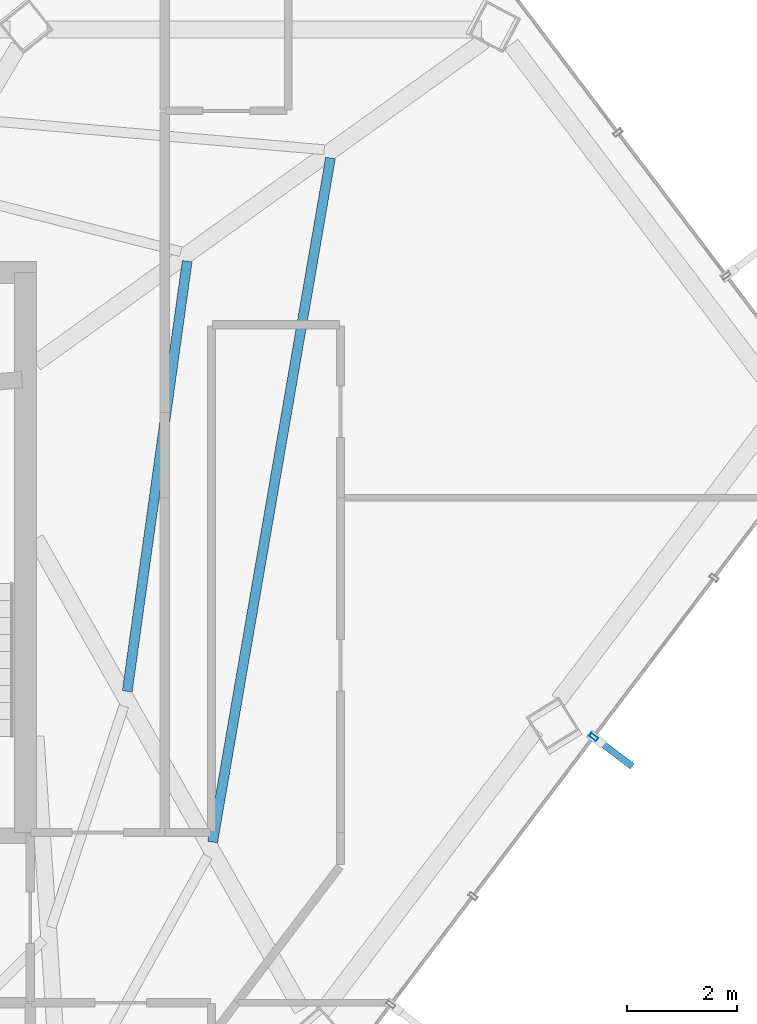
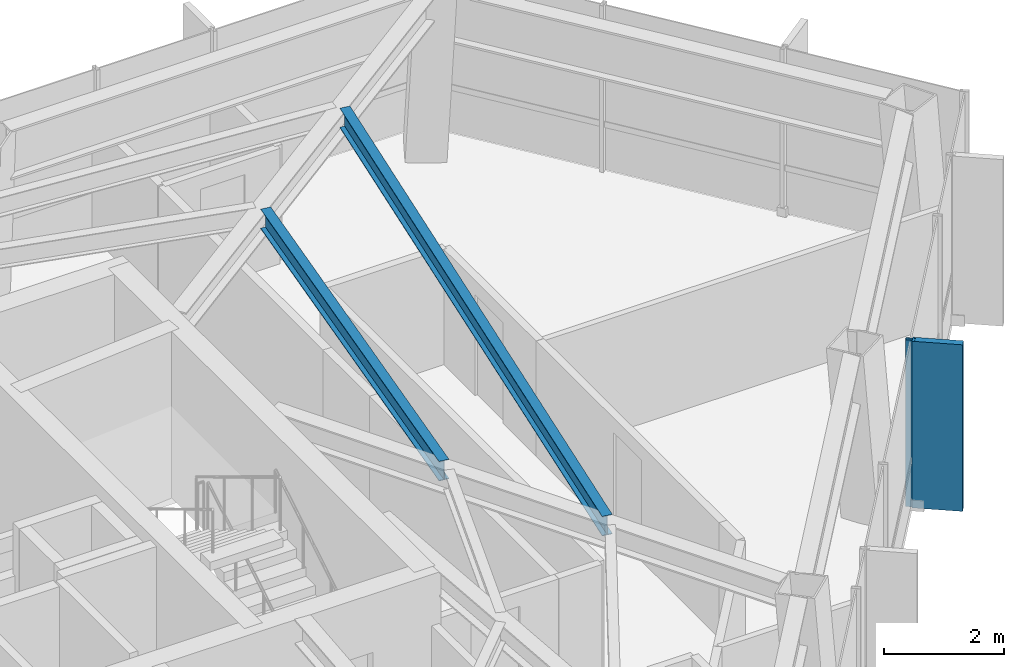
# One storey, part 20 of 28: 2 beams, 2 members, 1 element without a shape of its own.
"""IFC4 building model written with IfcOpenShell, lengths in metres."""

from ifc_helpers import new_model, si_unit, direction, frame, origin, origin_2d, place, context, subcontext, project, spatial, rectangle, hollow_rectangle, i_section, extrude, material, layer, layer_set, material_profile, profile_set, type_object, element, aggregate, save


model = new_model("IFC4")

# Units and contexts
model_context = context("Model", 3, precision=1e-05, world=origin(), true_north=direction((0.0, 1.0)))
body_context = subcontext(model_context, "Body", "Model", "MODEL_VIEW")
ifc_project = project(units=[si_unit("LENGTHUNIT", "METRE"), si_unit("AREAUNIT", "SQUARE_METRE"), si_unit("VOLUMEUNIT", "CUBIC_METRE"), si_unit("PLANEANGLEUNIT", "RADIAN"), si_unit("MASSUNIT", "GRAM", prefix="KILO")], contexts=[model_context])

# Site, building, storey
site_placement = place(None, origin())
site = spatial("IfcSite", under=ifc_project, at=site_placement, CompositionType="ELEMENT")
building_placement = place(site_placement, origin())
building = spatial("IfcBuilding", under=site, at=building_placement, Name="Zarrinselat Tower", CompositionType="ELEMENT")
storey_placement = place(building_placement, frame((0.0, 0.0, 190.739990234375)))
storey = spatial("IfcBuildingStorey", under=building, at=storey_placement, Name="L47", CompositionType="ELEMENT", Elevation=190.739990234375)

# Beams
ifc_material_1 = material(Name="Steel S355J2", Category="steel")
ifc_material_profile_1 = material_profile(ifc_material_1, i_section(OverallWidth=0.179931640625, OverallDepth=0.39990234375, WebThickness=0.008544921875, FlangeThickness=0.013427734375, at=origin_2d()), Name="IPE 400")
ifc_profile_set_1 = profile_set([ifc_material_profile_1], Name="Steel S355J2")
beam_type = type_object("IfcBeamType", Name="BM-IPE400", PredefinedType="JOIST", material=ifc_profile_set_1)
beam_1_placement = place(storey_placement, frame((51.673583984375, 33.076171875, 3.18994140625), z_axis=(0.169728468222, 0.985490866053, 0.0), x_axis=(-0.985490866053, 0.169728468222, 0.0)))
element("IfcBeam", 1, at=beam_1_placement, inside=storey, type_object=beam_type, Name="L47 Composite Floor Joist 5-1", PredefinedType="JOIST", context=body_context, shape_type="SweptSolid", body=[
    extrude(i_section(OverallWidth=0.179931640625, OverallDepth=0.39990234375, WebThickness=0.008544921875, FlangeThickness=0.013427734375, at=origin_2d()), origin(), (0.0, 0.0, 1.0), 12.64501953125),
])
beam_2_placement = place(storey_placement, frame((50.11767578125, 35.822021484375, 3.18994140625), z_axis=(0.137968657103, 0.990436595476, 0.0), x_axis=(-0.990436595476, 0.137968657103, 0.0)))
element("IfcBeam", 2, at=beam_2_placement, inside=storey, type_object=beam_type, Name="L47 Composite Floor Joist 5-2", PredefinedType="JOIST", context=body_context, shape_type="SweptSolid", body=[
    extrude(i_section(OverallWidth=0.179931640625, OverallDepth=0.39990234375, WebThickness=0.008544921875, FlangeThickness=0.013427734375, at=origin_2d()), origin(), (0.0, 0.0, 1.0), 7.91162109375),
])

# Curtain wall, members
ifc_material_2 = material(Name="Extruded Aluminium Alloy EN AW-6063 T6", Category="aluminium")
ifc_layer = layer(ifc_material_2, 0.175048828125)
ifc_layer_set = layer_set([ifc_layer], Name="Extruded Aluminium Alloy EN AW-6063 T6")
curtain_wall_type = type_object("IfcCurtainWallType", Name="CWS-HTL", PredefinedType="NOTDEFINED", material=ifc_layer_set)
curtain_wall_placement = place(storey_placement, origin())
curtain_wall = element("IfcCurtainWall", 3, at=curtain_wall_placement, inside=storey, type_object=curtain_wall_type, Name="L47 Unitised Curtain Wall CW-L47-E05", PredefinedType="NOTDEFINED")
ifc_material_3 = material(Name="Extruded Aluminium Alloy EN AW-6063 T6", Category="aluminium")
ifc_material_profile_2 = material_profile(ifc_material_3, hollow_rectangle(XDim=0.070068359375, YDim=0.159912109375, WallThickness=0.00390625, at=origin_2d()), Name="RHS 160x70x4")
ifc_profile_set_2 = profile_set([ifc_material_profile_2], Name="Extruded Aluminium Alloy EN AW-6063 T6")
member_type_1 = type_object("IfcMemberType", Name="MEM-CW-MUL2", PredefinedType="MULLION", material=ifc_profile_set_2)
member_1_placement = place(storey_placement, frame((58.61181640625, 34.98828125, 0.0), z_axis=(0.0, 0.0, 1.0), x_axis=(0.603856629551, 0.797092950005, 0.0)))
member_1 = element("IfcMember", 4, at=member_1_placement, type_object=member_type_1, Name="CW-L47-E05 Mullion 7", PredefinedType="MULLION", context=body_context, shape_type="SweptSolid", body=[
    extrude(hollow_rectangle(XDim=0.070068359375, YDim=0.159912109375, WallThickness=0.00390625, at=origin_2d()), origin(), (0.0, 0.0, 1.0), 3.389892578125),
])
ifc_material_4 = material(Name="Honed Cream Travertine Stone", Category="masonry")
ifc_material_profile_3 = material_profile(ifc_material_4, rectangle(XDim=0.1201171875, YDim=0.85009765625, at=origin_2d()), Name="FIN 850x120")
ifc_profile_set_3 = profile_set([ifc_material_profile_3], Name="Honed Cream Travertine Stone")
member_type_2 = type_object("IfcMemberType", Name="MEM-STONE-FIN", PredefinedType="USERDEFINED", material=ifc_profile_set_3)
member_2_placement = place(storey_placement, frame((58.978515625, 34.710693359375, 0.0), z_axis=(0.0, 0.0, 1.0), x_axis=(-0.603856629551, -0.797092950005, 0.0)))
member_2 = element("IfcMember", 5, at=member_2_placement, type_object=member_type_2, Name="L47 Stone Shading Fin CW-L47-E05-07", ObjectType="FIN", PredefinedType="USERDEFINED", context=body_context, shape_type="SweptSolid", body=[
    extrude(rectangle(XDim=0.1201171875, YDim=0.85009765625, at=origin_2d()), origin(), (0.0, 0.0, 1.0), 3.389892578125),
])
aggregate(curtain_wall, [member_1, member_2])

save(model, "model.ifc")
